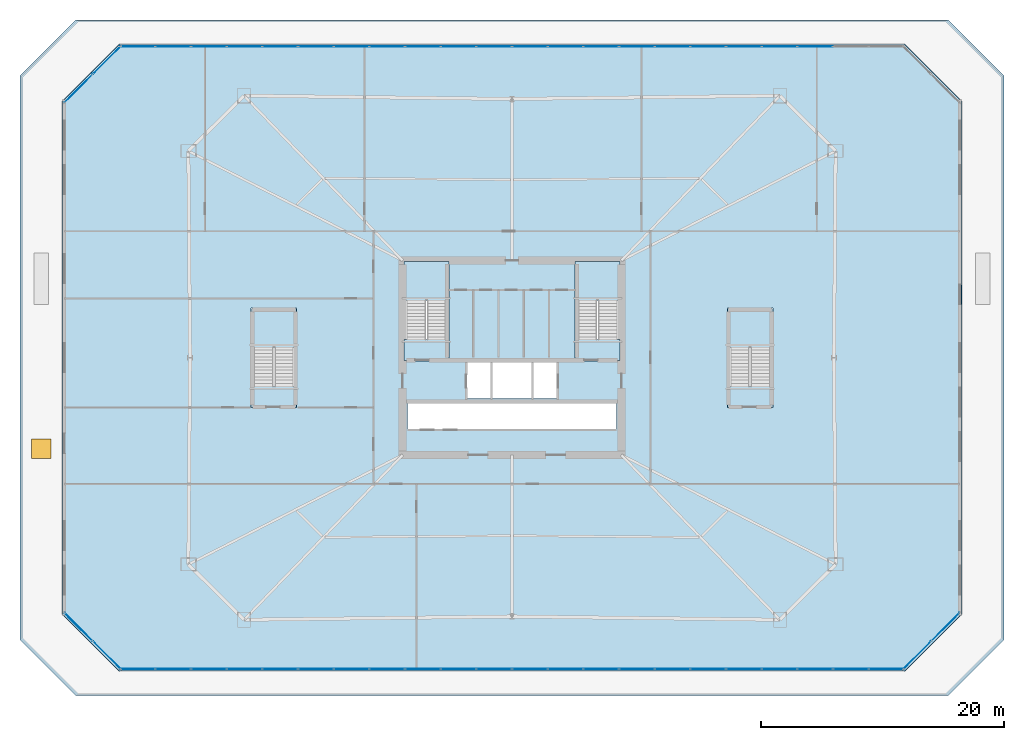
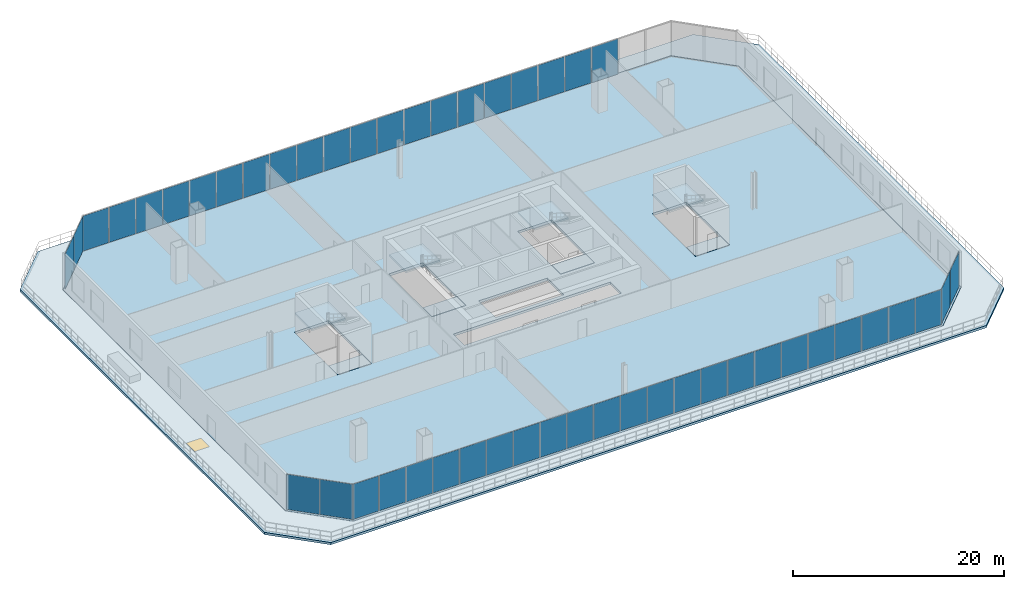
# One storey, part 23 of 31: 48 plates, 10 slabs, 1 window, 1 opening, 9 elements without a shape of their own.
"""IFC4 building model written with IfcOpenShell, lengths in metres."""

from ifc_helpers import new_model, si_unit, direction, frame, origin, origin_2d, place, context, subcontext, project, spatial, polyline, rectangle, outline, extrude, material, layer, layer_set, type_object, element, fill, aggregate, save


model = new_model("IFC4")

# Units and contexts
model_context = context("Model", 3, precision=1e-05, world=origin(), true_north=direction((0.0, 1.0)))
body_context = subcontext(model_context, "Body", "Model", "MODEL_VIEW")
ifc_project = project(units=[si_unit("LENGTHUNIT", "METRE"), si_unit("AREAUNIT", "SQUARE_METRE"), si_unit("VOLUMEUNIT", "CUBIC_METRE"), si_unit("PLANEANGLEUNIT", "RADIAN"), si_unit("MASSUNIT", "GRAM", prefix="KILO")], contexts=[model_context])

# Site, building, storey
site_placement = place(None, origin())
site = spatial("IfcSite", under=ifc_project, at=site_placement, CompositionType="ELEMENT")
building_placement = place(site_placement, origin())
building = spatial("IfcBuilding", under=site, at=building_placement, Name="Caelvoria Tower", CompositionType="ELEMENT")
storey_placement = place(building_placement, frame((0.0, 0.0, 9.5)))
storey = spatial("IfcBuildingStorey", under=building, at=storey_placement, Name="L02", CompositionType="ELEMENT", Elevation=9.5)

# Curtain wall, plates
ifc_material_1 = material(Name="Anodised Bronze Aluminium and Low-E Glass", Category="aluminium")
ifc_layer_1 = layer(ifc_material_1, 0.199951171875, Name="Anodised Bronze Aluminium and Low-E Glass")
ifc_layer_set_1 = layer_set([ifc_layer_1], Name="CW System 1 Podium Arcade Unitised Glazing - Anodised Bronze Aluminium and Low-E Glass")
curtain_wall_type = type_object("IfcCurtainWallType", Name="CW System 1 Podium Arcade Unitised Glazing", PredefinedType="NOTDEFINED", material=ifc_layer_set_1)
curtain_wall_1_placement = place(storey_placement, origin())
curtain_wall_1 = element("IfcCurtainWall", 1, at=curtain_wall_1_placement, inside=storey, type_object=curtain_wall_type, Name="CW-01 Curtain Wall L02-E0", PredefinedType="NOTDEFINED")
ifc_material_2 = material(Name="Tinted Low-E Insulated Glazing Unit", Category="glass")
ifc_layer_2 = layer(ifc_material_2, 0.028076171875, Name="Tinted Low-E Insulated Glazing Unit")
ifc_layer_set_2 = layer_set([ifc_layer_2], Name="Double-Glazed Solar-Control Vision Panel 28 - Tinted Low-E Insulated Glazing Unit")
plate_type = type_object("IfcPlateType", Name="Double-Glazed Solar-Control Vision Panel 28", PredefinedType="CURTAIN_PANEL", material=ifc_layer_set_2)
plate_1_placement = place(storey_placement, frame((15.185791015625, 6.3798828125, 0.06494140625), z_axis=(0.0, 0.0, 1.0), x_axis=(1.0, 0.0, 0.0)))
plate_1 = element("IfcPlate", 2, at=plate_1_placement, type_object=plate_type, Name="CW-01 panel 1.1", PredefinedType="CURTAIN_PANEL", context=body_context, shape_type="SweptSolid", body=[
    extrude(rectangle(XDim=2.831298828125, YDim=0.028076171875, at=origin_2d()), origin(), (0.0, 0.0, 1.0), 4.080078125),
])
plate_2_placement = place(storey_placement, frame((18.1044921875, 6.3798828125, 0.06494140625), z_axis=(0.0, 0.0, 1.0), x_axis=(1.0, 0.0, 0.0)))
plate_2 = element("IfcPlate", 3, at=plate_2_placement, type_object=plate_type, Name="CW-01 panel 2.1", PredefinedType="CURTAIN_PANEL", context=body_context, shape_type="SweptSolid", body=[
    extrude(rectangle(XDim=2.866455078125, YDim=0.028076171875, at=origin_2d()), origin(), (0.0, 0.0, 1.0), 4.080078125),
])
plate_3_placement = place(storey_placement, frame((21.041015625, 6.3798828125, 0.06494140625), z_axis=(0.0, 0.0, 1.0), x_axis=(1.0, 0.0, 0.0)))
plate_3 = element("IfcPlate", 4, at=plate_3_placement, type_object=plate_type, Name="CW-01 panel 3.1", PredefinedType="CURTAIN_PANEL", context=body_context, shape_type="SweptSolid", body=[
    extrude(rectangle(XDim=2.866455078125, YDim=0.028076171875, at=origin_2d()), origin(), (0.0, 0.0, 1.0), 4.080078125),
])
plate_4_placement = place(storey_placement, frame((23.977294921875, 6.3798828125, 0.06494140625), z_axis=(0.0, 0.0, 1.0), x_axis=(1.0, 0.0, 0.0)))
plate_4 = element("IfcPlate", 5, at=plate_4_placement, type_object=plate_type, Name="CW-01 panel 4.1", PredefinedType="CURTAIN_PANEL", context=body_context, shape_type="SweptSolid", body=[
    extrude(rectangle(XDim=2.866455078125, YDim=0.028076171875, at=origin_2d()), origin(), (0.0, 0.0, 1.0), 4.080078125),
])
plate_5_placement = place(storey_placement, frame((26.91357421875, 6.3798828125, 0.06494140625), z_axis=(0.0, 0.0, 1.0), x_axis=(1.0, 0.0, 0.0)))
plate_5 = element("IfcPlate", 6, at=plate_5_placement, type_object=plate_type, Name="CW-01 panel 5.1", PredefinedType="CURTAIN_PANEL", context=body_context, shape_type="SweptSolid", body=[
    extrude(rectangle(XDim=2.866455078125, YDim=0.028076171875, at=origin_2d()), origin(), (0.0, 0.0, 1.0), 4.080078125),
])
plate_6_placement = place(storey_placement, frame((29.85009765625, 6.3798828125, 0.06494140625), z_axis=(0.0, 0.0, 1.0), x_axis=(1.0, 0.0, 0.0)))
plate_6 = element("IfcPlate", 7, at=plate_6_placement, type_object=plate_type, Name="CW-01 panel 6.1", PredefinedType="CURTAIN_PANEL", context=body_context, shape_type="SweptSolid", body=[
    extrude(rectangle(XDim=2.866455078125, YDim=0.028076171875, at=origin_2d()), origin(), (0.0, 0.0, 1.0), 4.080078125),
])
plate_7_placement = place(storey_placement, frame((32.786376953125, 6.3798828125, 0.06494140625), z_axis=(0.0, 0.0, 1.0), x_axis=(1.0, 0.0, 0.0)))
plate_7 = element("IfcPlate", 8, at=plate_7_placement, type_object=plate_type, Name="CW-01 panel 7.1", PredefinedType="CURTAIN_PANEL", context=body_context, shape_type="SweptSolid", body=[
    extrude(rectangle(XDim=2.866455078125, YDim=0.028076171875, at=origin_2d()), origin(), (0.0, 0.0, 1.0), 4.080078125),
])
plate_8_placement = place(storey_placement, frame((35.72265625, 6.3798828125, 0.06494140625), z_axis=(0.0, 0.0, 1.0), x_axis=(1.0, 0.0, 0.0)))
plate_8 = element("IfcPlate", 9, at=plate_8_placement, type_object=plate_type, Name="CW-01 panel 8.1", PredefinedType="CURTAIN_PANEL", context=body_context, shape_type="SweptSolid", body=[
    extrude(rectangle(XDim=2.866455078125, YDim=0.028076171875, at=origin_2d()), origin(), (0.0, 0.0, 1.0), 4.080078125),
])
plate_9_placement = place(storey_placement, frame((38.6591796875, 6.3798828125, 0.06494140625), z_axis=(0.0, 0.0, 1.0), x_axis=(1.0, 0.0, 0.0)))
plate_9 = element("IfcPlate", 10, at=plate_9_placement, type_object=plate_type, Name="CW-01 panel 9.1", PredefinedType="CURTAIN_PANEL", context=body_context, shape_type="SweptSolid", body=[
    extrude(rectangle(XDim=2.866455078125, YDim=0.028076171875, at=origin_2d()), origin(), (0.0, 0.0, 1.0), 4.080078125),
])
plate_10_placement = place(storey_placement, frame((41.595458984375, 6.3798828125, 0.06494140625), z_axis=(0.0, 0.0, 1.0), x_axis=(1.0, 0.0, 0.0)))
plate_10 = element("IfcPlate", 11, at=plate_10_placement, type_object=plate_type, Name="CW-01 panel 10.1", PredefinedType="CURTAIN_PANEL", context=body_context, shape_type="SweptSolid", body=[
    extrude(rectangle(XDim=2.866455078125, YDim=0.028076171875, at=origin_2d()), origin(), (0.0, 0.0, 1.0), 4.080078125),
])
plate_11_placement = place(storey_placement, frame((44.53173828125, 6.3798828125, 0.06494140625), z_axis=(0.0, 0.0, 1.0), x_axis=(1.0, 0.0, 0.0)))
plate_11 = element("IfcPlate", 12, at=plate_11_placement, type_object=plate_type, Name="CW-01 panel 11.1", PredefinedType="CURTAIN_PANEL", context=body_context, shape_type="SweptSolid", body=[
    extrude(rectangle(XDim=2.866455078125, YDim=0.028076171875, at=origin_2d()), origin(), (0.0, 0.0, 1.0), 4.080078125),
])
plate_12_placement = place(storey_placement, frame((47.46826171875, 6.3798828125, 0.06494140625), z_axis=(0.0, 0.0, 1.0), x_axis=(1.0, 0.0, 0.0)))
plate_12 = element("IfcPlate", 13, at=plate_12_placement, type_object=plate_type, Name="CW-01 panel 12.1", PredefinedType="CURTAIN_PANEL", context=body_context, shape_type="SweptSolid", body=[
    extrude(rectangle(XDim=2.866455078125, YDim=0.028076171875, at=origin_2d()), origin(), (0.0, 0.0, 1.0), 4.080078125),
])
plate_13_placement = place(storey_placement, frame((50.404541015625, 6.3798828125, 0.06494140625), z_axis=(0.0, 0.0, 1.0), x_axis=(1.0, 0.0, 0.0)))
plate_13 = element("IfcPlate", 14, at=plate_13_placement, type_object=plate_type, Name="CW-01 panel 13.1", PredefinedType="CURTAIN_PANEL", context=body_context, shape_type="SweptSolid", body=[
    extrude(rectangle(XDim=2.866455078125, YDim=0.028076171875, at=origin_2d()), origin(), (0.0, 0.0, 1.0), 4.080078125),
])
plate_14_placement = place(storey_placement, frame((53.3408203125, 6.3798828125, 0.06494140625), z_axis=(0.0, 0.0, 1.0), x_axis=(1.0, 0.0, 0.0)))
plate_14 = element("IfcPlate", 15, at=plate_14_placement, type_object=plate_type, Name="CW-01 panel 14.1", PredefinedType="CURTAIN_PANEL", context=body_context, shape_type="SweptSolid", body=[
    extrude(rectangle(XDim=2.866455078125, YDim=0.028076171875, at=origin_2d()), origin(), (0.0, 0.0, 1.0), 4.080078125),
])
plate_15_placement = place(storey_placement, frame((56.27734375, 6.3798828125, 0.06494140625), z_axis=(0.0, 0.0, 1.0), x_axis=(1.0, 0.0, 0.0)))
plate_15 = element("IfcPlate", 16, at=plate_15_placement, type_object=plate_type, Name="CW-01 panel 15.1", PredefinedType="CURTAIN_PANEL", context=body_context, shape_type="SweptSolid", body=[
    extrude(rectangle(XDim=2.866455078125, YDim=0.028076171875, at=origin_2d()), origin(), (0.0, 0.0, 1.0), 4.080078125),
])
plate_16_placement = place(storey_placement, frame((59.213623046875, 6.3798828125, 0.06494140625), z_axis=(0.0, 0.0, 1.0), x_axis=(1.0, 0.0, 0.0)))
plate_16 = element("IfcPlate", 17, at=plate_16_placement, type_object=plate_type, Name="CW-01 panel 16.1", PredefinedType="CURTAIN_PANEL", context=body_context, shape_type="SweptSolid", body=[
    extrude(rectangle(XDim=2.866455078125, YDim=0.028076171875, at=origin_2d()), origin(), (0.0, 0.0, 1.0), 4.080078125),
])
plate_17_placement = place(storey_placement, frame((62.14990234375, 6.3798828125, 0.06494140625), z_axis=(0.0, 0.0, 1.0), x_axis=(1.0, 0.0, 0.0)))
plate_17 = element("IfcPlate", 18, at=plate_17_placement, type_object=plate_type, Name="CW-01 panel 17.1", PredefinedType="CURTAIN_PANEL", context=body_context, shape_type="SweptSolid", body=[
    extrude(rectangle(XDim=2.866455078125, YDim=0.028076171875, at=origin_2d()), origin(), (0.0, 0.0, 1.0), 4.080078125),
])
plate_18_placement = place(storey_placement, frame((65.08642578125, 6.3798828125, 0.06494140625), z_axis=(0.0, 0.0, 1.0), x_axis=(1.0, 0.0, 0.0)))
plate_18 = element("IfcPlate", 19, at=plate_18_placement, type_object=plate_type, Name="CW-01 panel 18.1", PredefinedType="CURTAIN_PANEL", context=body_context, shape_type="SweptSolid", body=[
    extrude(rectangle(XDim=2.866455078125, YDim=0.028076171875, at=origin_2d()), origin(), (0.0, 0.0, 1.0), 4.080078125),
])
plate_19_placement = place(storey_placement, frame((68.022705078125, 6.3798828125, 0.06494140625), z_axis=(0.0, 0.0, 1.0), x_axis=(1.0, 0.0, 0.0)))
plate_19 = element("IfcPlate", 20, at=plate_19_placement, type_object=plate_type, Name="CW-01 panel 19.1", PredefinedType="CURTAIN_PANEL", context=body_context, shape_type="SweptSolid", body=[
    extrude(rectangle(XDim=2.866455078125, YDim=0.028076171875, at=origin_2d()), origin(), (0.0, 0.0, 1.0), 4.080078125),
])
plate_20_placement = place(storey_placement, frame((70.958984375, 6.3798828125, 0.06494140625), z_axis=(0.0, 0.0, 1.0), x_axis=(1.0, 0.0, 0.0)))
plate_20 = element("IfcPlate", 21, at=plate_20_placement, type_object=plate_type, Name="CW-01 panel 20.1", PredefinedType="CURTAIN_PANEL", context=body_context, shape_type="SweptSolid", body=[
    extrude(rectangle(XDim=2.866455078125, YDim=0.028076171875, at=origin_2d()), origin(), (0.0, 0.0, 1.0), 4.080078125),
])
plate_21_placement = place(storey_placement, frame((73.8955078125, 6.3798828125, 0.06494140625), z_axis=(0.0, 0.0, 1.0), x_axis=(1.0, 0.0, 0.0)))
plate_21 = element("IfcPlate", 22, at=plate_21_placement, type_object=plate_type, Name="CW-01 panel 21.1", PredefinedType="CURTAIN_PANEL", context=body_context, shape_type="SweptSolid", body=[
    extrude(rectangle(XDim=2.866455078125, YDim=0.028076171875, at=origin_2d()), origin(), (0.0, 0.0, 1.0), 4.080078125),
])
plate_22_placement = place(storey_placement, frame((76.814208984375, 6.3798828125, 0.06494140625), z_axis=(0.0, 0.0, 1.0), x_axis=(1.0, 0.0, 0.0)))
plate_22 = element("IfcPlate", 23, at=plate_22_placement, type_object=plate_type, Name="CW-01 panel 22.1", PredefinedType="CURTAIN_PANEL", context=body_context, shape_type="SweptSolid", body=[
    extrude(rectangle(XDim=2.831298828125, YDim=0.028076171875, at=origin_2d()), origin(), (0.0, 0.0, 1.0), 4.080078125),
])
aggregate(curtain_wall_1, [plate_1, plate_2, plate_3, plate_4, plate_5, plate_6, plate_7, plate_8, plate_9, plate_10, plate_11, plate_12, plate_13, plate_14, plate_15, plate_16, plate_17, plate_18, plate_19, plate_20, plate_21, plate_22])

curtain_wall_2_placement = place(storey_placement, origin())
curtain_wall_2 = element("IfcCurtainWall", 24, at=curtain_wall_2_placement, inside=storey, type_object=curtain_wall_type, Name="CW-01 Curtain Wall L02-E1", PredefinedType="NOTDEFINED")
plate_23_placement = place(storey_placement, frame((79.360107421875, 7.5146484375, 0.06494140625), z_axis=(0.0, 0.0, 1.0), x_axis=(0.707106781187, 0.707106781187, 0.0)))
plate_23 = element("IfcPlate", 25, at=plate_23_placement, type_object=plate_type, Name="CW-01 panel 1.1", PredefinedType="CURTAIN_PANEL", context=body_context, shape_type="SweptSolid", body=[
    extrude(rectangle(XDim=3.218505859375, YDim=0.028076171875, at=origin_2d()), origin(), (0.0, 0.0, 1.0), 4.080078125),
])
plate_24_placement = place(storey_placement, frame((81.685302734375, 9.83984375, 0.06494140625), z_axis=(0.0, 0.0, 1.0), x_axis=(0.707106781187, 0.707106781187, 0.0)))
plate_24 = element("IfcPlate", 26, at=plate_24_placement, type_object=plate_type, Name="CW-01 panel 2.1", PredefinedType="CURTAIN_PANEL", context=body_context, shape_type="SweptSolid", body=[
    extrude(rectangle(XDim=3.218505859375, YDim=0.028076171875, at=origin_2d()), origin(), (0.0, 0.0, 1.0), 4.080078125),
])
aggregate(curtain_wall_2, [plate_23, plate_24])

curtain_wall_3_placement = place(storey_placement, origin())
curtain_wall_3 = element("IfcCurtainWall", 27, at=curtain_wall_3_placement, inside=storey, type_object=curtain_wall_type, Name="CW-01 Curtain Wall L02-E4", PredefinedType="NOTDEFINED")
plate_25_placement = place(storey_placement, frame((70.958984375, 57.6201171875, 0.06494140625), z_axis=(0.0, 0.0, 1.0), x_axis=(-1.0, 0.0, 0.0)))
plate_25 = element("IfcPlate", 28, at=plate_25_placement, type_object=plate_type, Name="CW-01 panel 3.1", PredefinedType="CURTAIN_PANEL", context=body_context, shape_type="SweptSolid", body=[
    extrude(rectangle(XDim=2.866455078125, YDim=0.028076171875, at=origin_2d()), origin(), (0.0, 0.0, 1.0), 4.080078125),
])
plate_26_placement = place(storey_placement, frame((68.022705078125, 57.6201171875, 0.06494140625), z_axis=(0.0, 0.0, 1.0), x_axis=(-1.0, 0.0, 0.0)))
plate_26 = element("IfcPlate", 29, at=plate_26_placement, type_object=plate_type, Name="CW-01 panel 4.1", PredefinedType="CURTAIN_PANEL", context=body_context, shape_type="SweptSolid", body=[
    extrude(rectangle(XDim=2.866455078125, YDim=0.028076171875, at=origin_2d()), origin(), (0.0, 0.0, 1.0), 4.080078125),
])
plate_27_placement = place(storey_placement, frame((65.08642578125, 57.6201171875, 0.06494140625), z_axis=(0.0, 0.0, 1.0), x_axis=(-1.0, 0.0, 0.0)))
plate_27 = element("IfcPlate", 30, at=plate_27_placement, type_object=plate_type, Name="CW-01 panel 5.1", PredefinedType="CURTAIN_PANEL", context=body_context, shape_type="SweptSolid", body=[
    extrude(rectangle(XDim=2.866455078125, YDim=0.028076171875, at=origin_2d()), origin(), (0.0, 0.0, 1.0), 4.080078125),
])
plate_28_placement = place(storey_placement, frame((62.14990234375, 57.6201171875, 0.06494140625), z_axis=(0.0, 0.0, 1.0), x_axis=(-1.0, 0.0, 0.0)))
plate_28 = element("IfcPlate", 31, at=plate_28_placement, type_object=plate_type, Name="CW-01 panel 6.1", PredefinedType="CURTAIN_PANEL", context=body_context, shape_type="SweptSolid", body=[
    extrude(rectangle(XDim=2.866455078125, YDim=0.028076171875, at=origin_2d()), origin(), (0.0, 0.0, 1.0), 4.080078125),
])
plate_29_placement = place(storey_placement, frame((59.213623046875, 57.6201171875, 0.06494140625), z_axis=(0.0, 0.0, 1.0), x_axis=(-1.0, 0.0, 0.0)))
plate_29 = element("IfcPlate", 32, at=plate_29_placement, type_object=plate_type, Name="CW-01 panel 7.1", PredefinedType="CURTAIN_PANEL", context=body_context, shape_type="SweptSolid", body=[
    extrude(rectangle(XDim=2.866455078125, YDim=0.028076171875, at=origin_2d()), origin(), (0.0, 0.0, 1.0), 4.080078125),
])
plate_30_placement = place(storey_placement, frame((56.27734375, 57.6201171875, 0.06494140625), z_axis=(0.0, 0.0, 1.0), x_axis=(-1.0, 0.0, 0.0)))
plate_30 = element("IfcPlate", 33, at=plate_30_placement, type_object=plate_type, Name="CW-01 panel 8.1", PredefinedType="CURTAIN_PANEL", context=body_context, shape_type="SweptSolid", body=[
    extrude(rectangle(XDim=2.866455078125, YDim=0.028076171875, at=origin_2d()), origin(), (0.0, 0.0, 1.0), 4.080078125),
])
plate_31_placement = place(storey_placement, frame((53.3408203125, 57.6201171875, 0.06494140625), z_axis=(0.0, 0.0, 1.0), x_axis=(-1.0, 0.0, 0.0)))
plate_31 = element("IfcPlate", 34, at=plate_31_placement, type_object=plate_type, Name="CW-01 panel 9.1", PredefinedType="CURTAIN_PANEL", context=body_context, shape_type="SweptSolid", body=[
    extrude(rectangle(XDim=2.866455078125, YDim=0.028076171875, at=origin_2d()), origin(), (0.0, 0.0, 1.0), 4.080078125),
])
plate_32_placement = place(storey_placement, frame((50.404541015625, 57.6201171875, 0.06494140625), z_axis=(0.0, 0.0, 1.0), x_axis=(-1.0, 0.0, 0.0)))
plate_32 = element("IfcPlate", 35, at=plate_32_placement, type_object=plate_type, Name="CW-01 panel 10.1", PredefinedType="CURTAIN_PANEL", context=body_context, shape_type="SweptSolid", body=[
    extrude(rectangle(XDim=2.866455078125, YDim=0.028076171875, at=origin_2d()), origin(), (0.0, 0.0, 1.0), 4.080078125),
])
plate_33_placement = place(storey_placement, frame((47.46826171875, 57.6201171875, 0.06494140625), z_axis=(0.0, 0.0, 1.0), x_axis=(-1.0, 0.0, 0.0)))
plate_33 = element("IfcPlate", 36, at=plate_33_placement, type_object=plate_type, Name="CW-01 panel 11.1", PredefinedType="CURTAIN_PANEL", context=body_context, shape_type="SweptSolid", body=[
    extrude(rectangle(XDim=2.866455078125, YDim=0.028076171875, at=origin_2d()), origin(), (0.0, 0.0, 1.0), 4.080078125),
])
plate_34_placement = place(storey_placement, frame((44.53173828125, 57.6201171875, 0.06494140625), z_axis=(0.0, 0.0, 1.0), x_axis=(-1.0, 0.0, 0.0)))
plate_34 = element("IfcPlate", 37, at=plate_34_placement, type_object=plate_type, Name="CW-01 panel 12.1", PredefinedType="CURTAIN_PANEL", context=body_context, shape_type="SweptSolid", body=[
    extrude(rectangle(XDim=2.866455078125, YDim=0.028076171875, at=origin_2d()), origin(), (0.0, 0.0, 1.0), 4.080078125),
])
plate_35_placement = place(storey_placement, frame((41.595458984375, 57.6201171875, 0.06494140625), z_axis=(0.0, 0.0, 1.0), x_axis=(-1.0, 0.0, 0.0)))
plate_35 = element("IfcPlate", 38, at=plate_35_placement, type_object=plate_type, Name="CW-01 panel 13.1", PredefinedType="CURTAIN_PANEL", context=body_context, shape_type="SweptSolid", body=[
    extrude(rectangle(XDim=2.866455078125, YDim=0.028076171875, at=origin_2d()), origin(), (0.0, 0.0, 1.0), 4.080078125),
])
plate_36_placement = place(storey_placement, frame((38.6591796875, 57.6201171875, 0.06494140625), z_axis=(0.0, 0.0, 1.0), x_axis=(-1.0, 0.0, 0.0)))
plate_36 = element("IfcPlate", 39, at=plate_36_placement, type_object=plate_type, Name="CW-01 panel 14.1", PredefinedType="CURTAIN_PANEL", context=body_context, shape_type="SweptSolid", body=[
    extrude(rectangle(XDim=2.866455078125, YDim=0.028076171875, at=origin_2d()), origin(), (0.0, 0.0, 1.0), 4.080078125),
])
plate_37_placement = place(storey_placement, frame((35.72265625, 57.6201171875, 0.06494140625), z_axis=(0.0, 0.0, 1.0), x_axis=(-1.0, 0.0, 0.0)))
plate_37 = element("IfcPlate", 40, at=plate_37_placement, type_object=plate_type, Name="CW-01 panel 15.1", PredefinedType="CURTAIN_PANEL", context=body_context, shape_type="SweptSolid", body=[
    extrude(rectangle(XDim=2.866455078125, YDim=0.028076171875, at=origin_2d()), origin(), (0.0, 0.0, 1.0), 4.080078125),
])
plate_38_placement = place(storey_placement, frame((32.786376953125, 57.6201171875, 0.06494140625), z_axis=(0.0, 0.0, 1.0), x_axis=(-1.0, 0.0, 0.0)))
plate_38 = element("IfcPlate", 41, at=plate_38_placement, type_object=plate_type, Name="CW-01 panel 16.1", PredefinedType="CURTAIN_PANEL", context=body_context, shape_type="SweptSolid", body=[
    extrude(rectangle(XDim=2.866455078125, YDim=0.028076171875, at=origin_2d()), origin(), (0.0, 0.0, 1.0), 4.080078125),
])
plate_39_placement = place(storey_placement, frame((29.85009765625, 57.6201171875, 0.06494140625), z_axis=(0.0, 0.0, 1.0), x_axis=(-1.0, 0.0, 0.0)))
plate_39 = element("IfcPlate", 42, at=plate_39_placement, type_object=plate_type, Name="CW-01 panel 17.1", PredefinedType="CURTAIN_PANEL", context=body_context, shape_type="SweptSolid", body=[
    extrude(rectangle(XDim=2.866455078125, YDim=0.028076171875, at=origin_2d()), origin(), (0.0, 0.0, 1.0), 4.080078125),
])
plate_40_placement = place(storey_placement, frame((26.91357421875, 57.6201171875, 0.06494140625), z_axis=(0.0, 0.0, 1.0), x_axis=(-1.0, 0.0, 0.0)))
plate_40 = element("IfcPlate", 43, at=plate_40_placement, type_object=plate_type, Name="CW-01 panel 18.1", PredefinedType="CURTAIN_PANEL", context=body_context, shape_type="SweptSolid", body=[
    extrude(rectangle(XDim=2.866455078125, YDim=0.028076171875, at=origin_2d()), origin(), (0.0, 0.0, 1.0), 4.080078125),
])
plate_41_placement = place(storey_placement, frame((23.977294921875, 57.6201171875, 0.06494140625), z_axis=(0.0, 0.0, 1.0), x_axis=(-1.0, 0.0, 0.0)))
plate_41 = element("IfcPlate", 44, at=plate_41_placement, type_object=plate_type, Name="CW-01 panel 19.1", PredefinedType="CURTAIN_PANEL", context=body_context, shape_type="SweptSolid", body=[
    extrude(rectangle(XDim=2.866455078125, YDim=0.028076171875, at=origin_2d()), origin(), (0.0, 0.0, 1.0), 4.080078125),
])
plate_42_placement = place(storey_placement, frame((21.041015625, 57.6201171875, 0.06494140625), z_axis=(0.0, 0.0, 1.0), x_axis=(-1.0, 0.0, 0.0)))
plate_42 = element("IfcPlate", 45, at=plate_42_placement, type_object=plate_type, Name="CW-01 panel 20.1", PredefinedType="CURTAIN_PANEL", context=body_context, shape_type="SweptSolid", body=[
    extrude(rectangle(XDim=2.866455078125, YDim=0.028076171875, at=origin_2d()), origin(), (0.0, 0.0, 1.0), 4.080078125),
])
plate_43_placement = place(storey_placement, frame((18.1044921875, 57.6201171875, 0.06494140625), z_axis=(0.0, 0.0, 1.0), x_axis=(-1.0, 0.0, 0.0)))
plate_43 = element("IfcPlate", 46, at=plate_43_placement, type_object=plate_type, Name="CW-01 panel 21.1", PredefinedType="CURTAIN_PANEL", context=body_context, shape_type="SweptSolid", body=[
    extrude(rectangle(XDim=2.866455078125, YDim=0.028076171875, at=origin_2d()), origin(), (0.0, 0.0, 1.0), 4.080078125),
])
plate_44_placement = place(storey_placement, frame((15.185791015625, 57.6201171875, 0.06494140625), z_axis=(0.0, 0.0, 1.0), x_axis=(-1.0, 0.0, 0.0)))
plate_44 = element("IfcPlate", 47, at=plate_44_placement, type_object=plate_type, Name="CW-01 panel 22.1", PredefinedType="CURTAIN_PANEL", context=body_context, shape_type="SweptSolid", body=[
    extrude(rectangle(XDim=2.831298828125, YDim=0.028076171875, at=origin_2d()), origin(), (0.0, 0.0, 1.0), 4.080078125),
])
aggregate(curtain_wall_3, [plate_25, plate_26, plate_27, plate_28, plate_29, plate_30, plate_31, plate_32, plate_33, plate_34, plate_35, plate_36, plate_37, plate_38, plate_39, plate_40, plate_41, plate_42, plate_43, plate_44])

curtain_wall_4_placement = place(storey_placement, origin())
curtain_wall_4 = element("IfcCurtainWall", 48, at=curtain_wall_4_placement, inside=storey, type_object=curtain_wall_type, Name="CW-01 Curtain Wall L02-E5", PredefinedType="NOTDEFINED")
plate_45_placement = place(storey_placement, frame((12.639892578125, 56.4853515625, 0.06494140625), z_axis=(0.0, 0.0, 1.0), x_axis=(-0.707106781187, -0.707106781187, 0.0)))
plate_45 = element("IfcPlate", 49, at=plate_45_placement, type_object=plate_type, Name="CW-01 panel 1.1", PredefinedType="CURTAIN_PANEL", context=body_context, shape_type="SweptSolid", body=[
    extrude(rectangle(XDim=3.218505859375, YDim=0.028076171875, at=origin_2d()), origin(), (0.0, 0.0, 1.0), 4.080078125),
])
plate_46_placement = place(storey_placement, frame((10.314697265625, 54.16015625, 0.06494140625), z_axis=(0.0, 0.0, 1.0), x_axis=(-0.707106781187, -0.707106781187, 0.0)))
plate_46 = element("IfcPlate", 50, at=plate_46_placement, type_object=plate_type, Name="CW-01 panel 2.1", PredefinedType="CURTAIN_PANEL", context=body_context, shape_type="SweptSolid", body=[
    extrude(rectangle(XDim=3.218505859375, YDim=0.028076171875, at=origin_2d()), origin(), (0.0, 0.0, 1.0), 4.080078125),
])
aggregate(curtain_wall_4, [plate_45, plate_46])

curtain_wall_5_placement = place(storey_placement, origin())
curtain_wall_5 = element("IfcCurtainWall", 51, at=curtain_wall_5_placement, inside=storey, type_object=curtain_wall_type, Name="CW-01 Curtain Wall L02-E7", PredefinedType="NOTDEFINED")
plate_47_placement = place(storey_placement, frame((10.314697265625, 9.83984375, 0.06494140625), z_axis=(0.0, 0.0, 1.0), x_axis=(0.707106781187, -0.707106781187, 0.0)))
plate_47 = element("IfcPlate", 52, at=plate_47_placement, type_object=plate_type, Name="CW-01 panel 1.1", PredefinedType="CURTAIN_PANEL", context=body_context, shape_type="SweptSolid", body=[
    extrude(rectangle(XDim=3.218505859375, YDim=0.028076171875, at=origin_2d()), origin(), (0.0, 0.0, 1.0), 4.080078125),
])
plate_48_placement = place(storey_placement, frame((12.639892578125, 7.5146484375, 0.06494140625), z_axis=(0.0, 0.0, 1.0), x_axis=(0.707106781187, -0.707106781187, 0.0)))
plate_48 = element("IfcPlate", 53, at=plate_48_placement, type_object=plate_type, Name="CW-01 panel 2.1", PredefinedType="CURTAIN_PANEL", context=body_context, shape_type="SweptSolid", body=[
    extrude(rectangle(XDim=3.218505859375, YDim=0.028076171875, at=origin_2d()), origin(), (0.0, 0.0, 1.0), 4.080078125),
])
aggregate(curtain_wall_5, [plate_47, plate_48])

# Slab
ifc_material_3 = material(Name="Concrete C40/50", Category="concrete")
ifc_layer_3 = layer(ifc_material_3, 0.280029296875, Name="Concrete C40/50")
ifc_layer_set_3 = layer_set([ifc_layer_3], Name="Lower Podium Commercial Slab 280 - Concrete C40/50")
slab_type_1 = type_object("IfcSlabType", Name="Lower Podium Commercial Slab 280", PredefinedType="FLOOR", material=ifc_layer_set_3)
slab_1_placement = place(storey_placement, frame((0.0, 0.0, -0.280029296875)))
element("IfcSlab", 54, at=slab_1_placement, inside=storey, type_object=slab_type_1, Name="Level L02 Structural Floor Slab", PredefinedType="FLOOR", context=body_context, shape_type="SweptSolid", body=[
    extrude(outline(polyline([(13.699951171875, 6.199951171875), (78.300048828125, 6.199951171875), (83.0, 10.89990234375), (83.0, 53.10009765625), (78.300048828125, 57.800048828125), (13.699951171875, 57.800048828125), (9.0, 53.10009765625), (9.0, 10.89990234375), (13.699951171875, 6.199951171875)]), holes=[polyline([(37.080078125, 31.75), (40.820068359375, 31.75), (40.820068359375, 39.919921875), (37.080078125, 39.919921875), (37.080078125, 31.75)]), polyline([(51.179931640625, 31.75), (54.919921875, 31.75), (54.919921875, 39.919921875), (51.179931640625, 39.919921875), (51.179931640625, 31.75)]), polyline([(42.25, 28.64990234375), (49.75, 28.64990234375), (49.75, 31.800048828125), (42.25, 31.800048828125), (42.25, 28.64990234375)]), polyline([(24.52001953125, 27.89990234375), (28.280029296875, 27.89990234375), (28.280029296875, 36.080078125), (24.52001953125, 36.080078125), (24.52001953125, 27.89990234375)]), polyline([(63.719970703125, 27.89990234375), (67.47998046875, 27.89990234375), (67.47998046875, 36.080078125), (63.719970703125, 36.080078125), (63.719970703125, 27.89990234375)]), polyline([(37.39990234375, 26.14990234375), (54.60009765625, 26.14990234375), (54.60009765625, 28.25), (37.39990234375, 28.25), (37.39990234375, 26.14990234375)])]), origin(), (0.0, 0.0, 1.0), 0.280029296875),
])

# Stair, slabs
stair_type = type_object("IfcStairType", Name="Core Smokeproof Dogleg Stair Concrete C40/50", PredefinedType="HALF_TURN_STAIR", material=ifc_material_3)
stair_1_placement = place(storey_placement, origin())
stair_1 = element("IfcStair", 55, at=stair_1_placement, inside=storey, type_object=stair_type, Name="ST-01 Smokeproof Exit Stair L02", PredefinedType="HALF_TURN_STAIR")
ifc_layer_4 = layer(ifc_material_3, 0.199951171875, Name="Concrete C40/50")
ifc_layer_set_4 = layer_set([ifc_layer_4], Name="Stair Half and Floor Landing Slab 200 Concrete C40/50 - Concrete C40/50")
slab_type_2 = type_object("IfcSlabType", Name="Stair Half and Floor Landing Slab 200 Concrete C40/50", PredefinedType="LANDING", material=ifc_layer_set_4)
slab_2_placement = place(storey_placement, frame((0.0, 0.0, -0.199951171875)))
slab_2 = element("IfcSlab", 56, at=slab_2_placement, type_object=slab_type_2, Name="ST-01 landing 1", PredefinedType="LANDING", context=body_context, shape_type="SweptSolid", body=[
    extrude(outline(polyline([(37.10009765625, 31.77001953125), (40.800048828125, 31.77001953125), (40.800048828125, 33.5), (37.10009765625, 33.5), (37.10009765625, 31.77001953125)])), origin(), (0.0, 0.0, 1.0), 0.199951171875),
])
slab_3_placement = place(storey_placement, frame((0.0, 0.0, 2.050048828125)))
slab_3 = element("IfcSlab", 57, at=slab_3_placement, type_object=slab_type_2, Name="ST-01 landing 2", PredefinedType="LANDING", context=body_context, shape_type="SweptSolid", body=[
    extrude(outline(polyline([(37.10009765625, 36.699951171875), (40.800048828125, 36.699951171875), (40.800048828125, 39.89990234375), (37.10009765625, 39.89990234375), (37.10009765625, 36.699951171875)])), origin(), (0.0, 0.0, 1.0), 0.199951171875),
])
aggregate(stair_1, [slab_2, slab_3])

stair_2_placement = place(storey_placement, origin())
stair_2 = element("IfcStair", 58, at=stair_2_placement, inside=storey, type_object=stair_type, Name="ST-02 Smokeproof Exit Stair L02", PredefinedType="HALF_TURN_STAIR")
slab_4_placement = place(storey_placement, frame((0.0, 0.0, -0.199951171875)))
slab_4 = element("IfcSlab", 59, at=slab_4_placement, type_object=slab_type_2, Name="ST-02 landing 1", PredefinedType="LANDING", context=body_context, shape_type="SweptSolid", body=[
    extrude(outline(polyline([(51.199951171875, 31.77001953125), (54.89990234375, 31.77001953125), (54.89990234375, 33.5), (51.199951171875, 33.5), (51.199951171875, 31.77001953125)])), origin(), (0.0, 0.0, 1.0), 0.199951171875),
])
slab_5_placement = place(storey_placement, frame((0.0, 0.0, 2.050048828125)))
slab_5 = element("IfcSlab", 60, at=slab_5_placement, type_object=slab_type_2, Name="ST-02 landing 2", PredefinedType="LANDING", context=body_context, shape_type="SweptSolid", body=[
    extrude(outline(polyline([(51.199951171875, 36.699951171875), (54.89990234375, 36.699951171875), (54.89990234375, 39.89990234375), (51.199951171875, 39.89990234375), (51.199951171875, 36.699951171875)])), origin(), (0.0, 0.0, 1.0), 0.199951171875),
])
aggregate(stair_2, [slab_4, slab_5])

stair_3_placement = place(storey_placement, origin())
stair_3 = element("IfcStair", 61, at=stair_3_placement, inside=storey, type_object=stair_type, Name="ST-03 Smokeproof Exit Stair L02", PredefinedType="HALF_TURN_STAIR")
slab_6_placement = place(storey_placement, frame((0.0, 0.0, -0.199951171875)))
slab_6 = element("IfcSlab", 62, at=slab_6_placement, type_object=slab_type_2, Name="ST-03 landing 1", PredefinedType="LANDING", context=body_context, shape_type="SweptSolid", body=[
    extrude(outline(polyline([(24.550048828125, 27.919921875), (28.25, 27.919921875), (28.25, 29.64990234375), (24.550048828125, 29.64990234375), (24.550048828125, 27.919921875)])), origin(), (0.0, 0.0, 1.0), 0.199951171875),
])
slab_7_placement = place(storey_placement, frame((0.0, 0.0, 2.050048828125)))
slab_7 = element("IfcSlab", 63, at=slab_7_placement, type_object=slab_type_2, Name="ST-03 landing 2", PredefinedType="LANDING", context=body_context, shape_type="SweptSolid", body=[
    extrude(outline(polyline([(24.550048828125, 32.85009765625), (28.25, 32.85009765625), (28.25, 36.050048828125), (24.550048828125, 36.050048828125), (24.550048828125, 32.85009765625)])), origin(), (0.0, 0.0, 1.0), 0.199951171875),
])
aggregate(stair_3, [slab_6, slab_7])

stair_4_placement = place(storey_placement, origin())
stair_4 = element("IfcStair", 64, at=stair_4_placement, inside=storey, type_object=stair_type, Name="ST-04 Smokeproof Exit Stair L02", PredefinedType="HALF_TURN_STAIR")
slab_8_placement = place(storey_placement, frame((0.0, 0.0, -0.199951171875)))
slab_8 = element("IfcSlab", 65, at=slab_8_placement, type_object=slab_type_2, Name="ST-04 landing 1", PredefinedType="LANDING", context=body_context, shape_type="SweptSolid", body=[
    extrude(outline(polyline([(63.75, 27.919921875), (67.449951171875, 27.919921875), (67.449951171875, 29.64990234375), (63.75, 29.64990234375), (63.75, 27.919921875)])), origin(), (0.0, 0.0, 1.0), 0.199951171875),
])
slab_9_placement = place(storey_placement, frame((0.0, 0.0, 2.050048828125)))
slab_9 = element("IfcSlab", 66, at=slab_9_placement, type_object=slab_type_2, Name="ST-04 landing 2", PredefinedType="LANDING", context=body_context, shape_type="SweptSolid", body=[
    extrude(outline(polyline([(63.75, 32.85009765625), (67.449951171875, 32.85009765625), (67.449951171875, 36.050048828125), (63.75, 36.050048828125), (63.75, 32.85009765625)])), origin(), (0.0, 0.0, 1.0), 0.199951171875),
])
aggregate(stair_4, [slab_8, slab_9])

# Slab, opening, window
ifc_layer_5 = layer(ifc_material_3, 0.260009765625, Name="Concrete C40/50")
ifc_layer_set_5 = layer_set([ifc_layer_5], Name="Terraced Podium Roof Garden Slab 260 - Concrete C40/50")
slab_type_3 = type_object("IfcSlabType", Name="Terraced Podium Roof Garden Slab 260", PredefinedType="ROOF", material=ifc_layer_set_5)
slab_10_placement = place(storey_placement, frame((0.0, 0.0, -0.260009765625)))
slab_10 = element("IfcSlab", 67, at=slab_10_placement, inside=storey, type_object=slab_type_3, Name="Level L02 Terraced Podium Roof Deck", PredefinedType="ROOF", context=body_context, shape_type="SweptSolid", body=[
    extrude(outline(polyline([(10.10009765625, 4.199951171875), (81.89990234375, 4.199951171875), (86.5, 8.800048828125), (86.5, 55.199951171875), (81.89990234375, 59.800048828125), (10.10009765625, 59.800048828125), (5.5, 55.199951171875), (5.5, 8.800048828125), (10.10009765625, 4.199951171875)]), holes=[polyline([(13.684326171875, 6.1875), (78.315673828125, 6.1875), (83.017333984375, 10.89013671875), (83.017333984375, 53.10986328125), (78.315673828125, 57.8125), (13.684326171875, 57.8125), (8.982666015625, 53.10986328125), (8.982666015625, 10.89013671875), (13.684326171875, 6.1875)])]), origin(), (0.0, 0.0, 1.0), 0.260009765625),
])
opening_placement = place(slab_10_placement, frame((7.25, 24.5, 0.0)))
opening = element("IfcOpeningElement", 68, at=opening_placement, cuts=slab_10, Name="Opening SK-01", PredefinedType="OPENING", context=body_context, shape_type="SweptSolid", body=[
    extrude(rectangle(XDim=1.60009765625, YDim=1.60009765625, at=origin_2d()), origin(), (0.0, 0.0, 1.0), 0.260009765625),
])
ifc_material_4 = material(Name="Low-E Tinted Glass in Bronze Aluminium Frame", Category="aluminium")
window_type = type_object("IfcWindowType", Name="Podium Terrace Daylight Skylight 1800x1800", PartitioningType="SINGLE_PANEL", PredefinedType="SKYLIGHT", material=ifc_material_4)
window_placement = place(opening_placement, frame((0.0, 0.0, 0.2099609375)))
window = element("IfcWindow", 69, at=window_placement, inside=storey, type_object=window_type, Name="Podium Terrace Skylight L02", OverallHeight=1.60009765625, OverallWidth=1.60009765625, PartitioningType="SINGLE_PANEL", PredefinedType="SKYLIGHT", context=body_context, shape_type="SweptSolid", body=[
    extrude(rectangle(XDim=1.60009765625, YDim=1.60009765625, at=origin_2d()), origin(), (0.0, 0.0, 1.0), 0.050048828125),
])
fill(opening, window)

save(model, "model.ifc")
